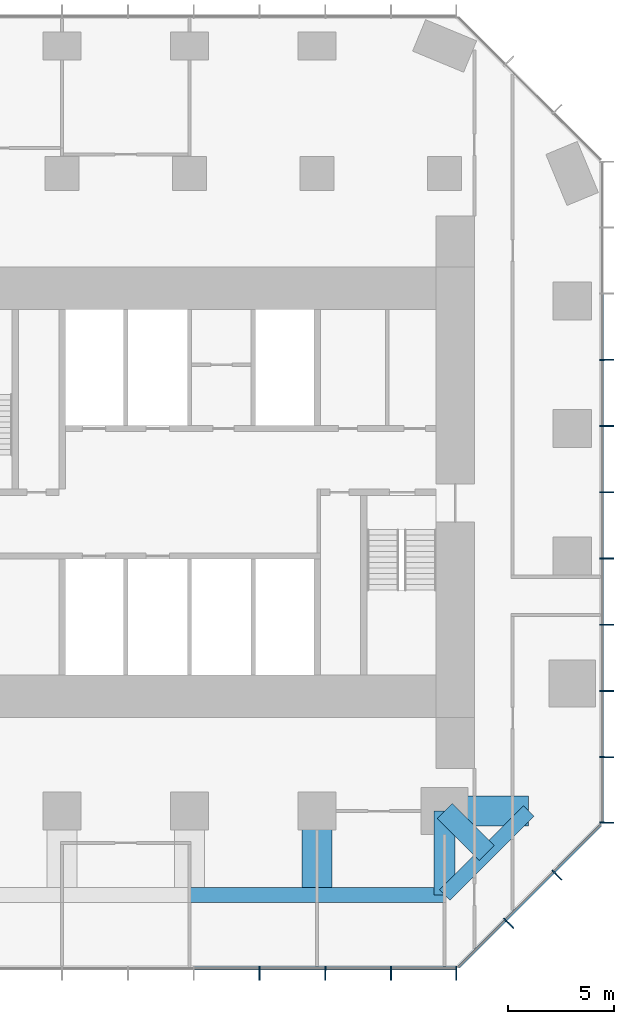
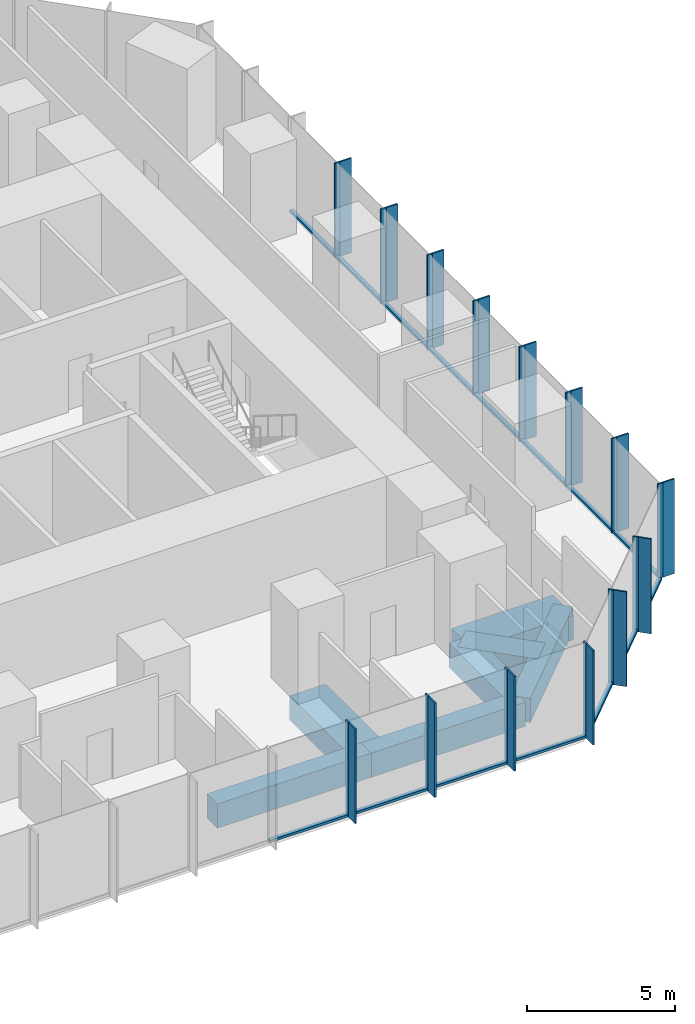
# One storey, part 4 of 11: 43 members, 7 beams, 3 elements without a shape of their own.
"""IFC4 building model written with IfcOpenShell, lengths in metres."""

from ifc_helpers import new_model, si_unit, direction, frame, origin, origin_2d, place, context, subcontext, project, spatial, rectangle, extrude, material, layer, layer_set, material_profile, profile_set, type_object, element, aggregate, save


model = new_model("IFC4")

# Units and contexts
model_context = context("Model", 3, precision=1e-05, world=origin(), true_north=direction((0.0, 1.0)))
body_context = subcontext(model_context, "Body", "Model", "MODEL_VIEW")
ifc_project = project(units=[si_unit("LENGTHUNIT", "METRE"), si_unit("AREAUNIT", "SQUARE_METRE"), si_unit("VOLUMEUNIT", "CUBIC_METRE"), si_unit("PLANEANGLEUNIT", "RADIAN"), si_unit("MASSUNIT", "GRAM", prefix="KILO")], contexts=[model_context])

# Site, building, storey
site_placement = place(None, origin())
site = spatial("IfcSite", under=ifc_project, at=site_placement, CompositionType="ELEMENT")
building_placement = place(site_placement, origin())
building = spatial("IfcBuilding", under=site, at=building_placement, Name="Highveld Stack Headquarters", CompositionType="ELEMENT")
storey_placement = place(building_placement, frame((0.0, 0.0, 128.89990234375)))
storey = spatial("IfcBuildingStorey", under=building, at=storey_placement, Name="L31", CompositionType="ELEMENT", Elevation=128.89990234375)

# Beams
ifc_material_1 = material(Name="Concrete C60/75", Category="concrete")
ifc_material_profile_1 = material_profile(ifc_material_1, rectangle(XDim=1.0, YDim=1.0, at=origin_2d()), Name="RC 1000x1000")
ifc_profile_set_1 = profile_set([ifc_material_profile_1], Name="Concrete C60/75")
beam_type_1 = type_object("IfcBeamType", Name="CANTILEVER RIB RC 1000x1000", PredefinedType="USERDEFINED", material=ifc_profile_set_1)
beam_1_placement = place(storey_placement, frame((18.0, -12.0, -0.75), z_axis=(0.0, -1.0, 0.0), x_axis=(1.0, 0.0, 0.0)))
element("IfcBeam", 1, at=beam_1_placement, inside=storey, type_object=beam_type_1, Name="Cantilever rib 9/C L31", ObjectType="CANTILEVER RIB", PredefinedType="USERDEFINED", context=body_context, shape_type="SweptSolid", body=[
    extrude(rectangle(XDim=1.0, YDim=1.0, at=origin_2d()), origin(), (0.0, 0.0, 1.0), 3.949951171875),
])
beam_2_placement = place(storey_placement, frame((18.0, -12.0, -0.75), z_axis=(0.707106781187, -0.707106781187, 0.0), x_axis=(0.707106781187, 0.707106781187, 0.0)))
element("IfcBeam", 2, at=beam_2_placement, inside=storey, type_object=beam_type_1, Name="Cantilever rib 9/C L31", ObjectType="CANTILEVER RIB", PredefinedType="USERDEFINED", context=body_context, shape_type="SweptSolid", body=[
    extrude(rectangle(XDim=1.0, YDim=1.0, at=origin_2d()), origin(), (0.0, 0.0, 1.0), 2.793212890625),
])
ifc_material_2 = material(Name="Concrete C60/75", Category="concrete")
ifc_material_profile_2 = material_profile(ifc_material_2, rectangle(XDim=1.39990234375, YDim=1.0, at=origin_2d()), Name="RC 1400x1000")
ifc_profile_set_2 = profile_set([ifc_material_profile_2], Name="Concrete C60/75")
beam_type_2 = type_object("IfcBeamType", Name="CANTILEVER RIB RC 1400x1000", PredefinedType="USERDEFINED", material=ifc_profile_set_2)
for number, where, z_axis, x_axis, name in (
    (3, (12.0, -12.0, -0.75), (0.0, -1.0, 0.0), (1.0, 0.0, 0.0), "Cantilever rib 8/C L31"),
    (4, (18.0, -12.0, -0.75), (1.0, 0.0, 0.0), (0.0, 1.0, 0.0), "Cantilever rib 9/C L31"),
):
    element("IfcBeam", number, at=place(storey_placement, frame(where, z_axis=z_axis, x_axis=x_axis)), inside=storey, type_object=beam_type_2, Name=name, ObjectType="CANTILEVER RIB", PredefinedType="USERDEFINED", context=body_context, shape_type="SweptSolid", body=[
        extrude(rectangle(XDim=1.39990234375, YDim=1.0, at=origin_2d()), origin(), (0.0, 0.0, 1.0), 3.949951171875),
    ])

# Curtain wall, members
ifc_material_3 = material(Name="Aluminium bronze anodised", Category="aluminium")
ifc_layer_1 = layer(ifc_material_3, 0.199951171875)
ifc_layer_set_1 = layer_set([ifc_layer_1], Name="Aluminium bronze anodised")
curtain_wall_type_1 = type_object("IfcCurtainWallType", Name="CW1 TOWER UNITISED CURTAIN WALL", PredefinedType="NOTDEFINED", material=ifc_layer_set_1)
curtain_wall_1_placement = place(storey_placement, origin())
curtain_wall_1 = element("IfcCurtainWall", 5, at=curtain_wall_1_placement, inside=storey, type_object=curtain_wall_type_1, Name="Curtain wall CW1 L31 S", PredefinedType="NOTDEFINED")
ifc_material_4 = material(Name="Aluminium bronze anodised", Category="aluminium")
ifc_material_profile_3 = material_profile(ifc_material_4, rectangle(XDim=0.449951171875, YDim=0.06005859375, at=origin_2d()), Name="FIN 450x60")
ifc_profile_set_3 = profile_set([ifc_material_profile_3], Name="Aluminium bronze anodised")
member_type_1 = type_object("IfcMemberType", Name="CW1 BRONZE FIN 450x60", PredefinedType="USERDEFINED", material=ifc_profile_set_3)
member_1_placement = place(storey_placement, frame((9.2900390625, -19.72509765625, 0.0), z_axis=(0.0, 0.0, 1.0), x_axis=(0.0, 1.0, 0.0)))
member_1 = element("IfcMember", 6, at=member_1_placement, type_object=member_type_1, Name="CW1 fin L31 10", ObjectType="FIN", PredefinedType="USERDEFINED", context=body_context, shape_type="SweptSolid", body=[
    extrude(rectangle(XDim=0.449951171875, YDim=0.06005859375, at=origin_2d()), origin(), (0.0, 0.0, 1.0), 3.900146484375),
])
member_2_placement = place(storey_placement, frame((12.38671875, -19.72509765625, 0.0), z_axis=(0.0, 0.0, 1.0), x_axis=(0.0, 1.0, 0.0)))
member_2 = element("IfcMember", 7, at=member_2_placement, type_object=member_type_1, Name="CW1 fin L31 11", ObjectType="FIN", PredefinedType="USERDEFINED", context=body_context, shape_type="SweptSolid", body=[
    extrude(rectangle(XDim=0.449951171875, YDim=0.06005859375, at=origin_2d()), origin(), (0.0, 0.0, 1.0), 3.900146484375),
])
member_3_placement = place(storey_placement, frame((15.4833984375, -19.72509765625, 0.0), z_axis=(0.0, 0.0, 1.0), x_axis=(0.0, 1.0, 0.0)))
member_3 = element("IfcMember", 8, at=member_3_placement, type_object=member_type_1, Name="CW1 fin L31 12", ObjectType="FIN", PredefinedType="USERDEFINED", context=body_context, shape_type="SweptSolid", body=[
    extrude(rectangle(XDim=0.449951171875, YDim=0.06005859375, at=origin_2d()), origin(), (0.0, 0.0, 1.0), 3.900146484375),
])
member_4_placement = place(storey_placement, frame((18.54736328125, -19.72509765625, 0.0), z_axis=(0.0, 0.0, 1.0), x_axis=(0.0, 1.0, 0.0)))
member_4 = element("IfcMember", 9, at=member_4_placement, type_object=member_type_1, Name="CW1 fin L31 13", ObjectType="FIN", PredefinedType="USERDEFINED", context=body_context, shape_type="SweptSolid", body=[
    extrude(rectangle(XDim=0.449951171875, YDim=0.06005859375, at=origin_2d()), origin(), (0.0, 0.0, 1.0), 3.900146484375),
])

curtain_wall_2_placement = place(storey_placement, origin())
curtain_wall_2 = element("IfcCurtainWall", 10, at=curtain_wall_2_placement, inside=storey, type_object=curtain_wall_type_1, Name="Curtain wall CW1 L31 E", PredefinedType="NOTDEFINED")
member_5_placement = place(storey_placement, frame((25.72509765625, -12.54736328125, 0.0), z_axis=(0.0, 0.0, 1.0), x_axis=(-1.0, 0.0, 0.0)))
member_5 = element("IfcMember", 11, at=member_5_placement, type_object=member_type_1, Name="CW1 fin L31 1", ObjectType="FIN", PredefinedType="USERDEFINED", context=body_context, shape_type="SweptSolid", body=[
    extrude(rectangle(XDim=0.449951171875, YDim=0.06005859375, at=origin_2d()), origin(), (0.0, 0.0, 1.0), 3.900146484375),
])
member_6_placement = place(storey_placement, frame((25.72509765625, -9.4638671875, 0.0), z_axis=(0.0, 0.0, 1.0), x_axis=(-1.0, 0.0, 0.0)))
member_6 = element("IfcMember", 12, at=member_6_placement, type_object=member_type_1, Name="CW1 fin L31 2", ObjectType="FIN", PredefinedType="USERDEFINED", context=body_context, shape_type="SweptSolid", body=[
    extrude(rectangle(XDim=0.449951171875, YDim=0.06005859375, at=origin_2d()), origin(), (0.0, 0.0, 1.0), 3.900146484375),
])
member_7_placement = place(storey_placement, frame((25.72509765625, -6.347900390625, 0.0), z_axis=(0.0, 0.0, 1.0), x_axis=(-1.0, 0.0, 0.0)))
member_7 = element("IfcMember", 13, at=member_7_placement, type_object=member_type_1, Name="CW1 fin L31 3", ObjectType="FIN", PredefinedType="USERDEFINED", context=body_context, shape_type="SweptSolid", body=[
    extrude(rectangle(XDim=0.449951171875, YDim=0.06005859375, at=origin_2d()), origin(), (0.0, 0.0, 1.0), 3.900146484375),
])
member_8_placement = place(storey_placement, frame((25.72509765625, -3.23193359375, 0.0), z_axis=(0.0, 0.0, 1.0), x_axis=(-1.0, 0.0, 0.0)))
member_8 = element("IfcMember", 14, at=member_8_placement, type_object=member_type_1, Name="CW1 fin L31 4", ObjectType="FIN", PredefinedType="USERDEFINED", context=body_context, shape_type="SweptSolid", body=[
    extrude(rectangle(XDim=0.449951171875, YDim=0.06005859375, at=origin_2d()), origin(), (0.0, 0.0, 1.0), 3.900146484375),
])
member_9_placement = place(storey_placement, frame((25.72509765625, -0.115966796875, 0.0), z_axis=(0.0, 0.0, 1.0), x_axis=(-1.0, 0.0, 0.0)))
member_9 = element("IfcMember", 15, at=member_9_placement, type_object=member_type_1, Name="CW1 fin L31 5", ObjectType="FIN", PredefinedType="USERDEFINED", context=body_context, shape_type="SweptSolid", body=[
    extrude(rectangle(XDim=0.449951171875, YDim=0.06005859375, at=origin_2d()), origin(), (0.0, 0.0, 1.0), 3.900146484375),
])
member_10_placement = place(storey_placement, frame((25.72509765625, 3.0, 0.0), z_axis=(0.0, 0.0, 1.0), x_axis=(-1.0, 0.0, 0.0)))
member_10 = element("IfcMember", 16, at=member_10_placement, type_object=member_type_1, Name="CW1 fin L31 6", ObjectType="FIN", PredefinedType="USERDEFINED", context=body_context, shape_type="SweptSolid", body=[
    extrude(rectangle(XDim=0.449951171875, YDim=0.06005859375, at=origin_2d()), origin(), (0.0, 0.0, 1.0), 3.900146484375),
])
member_11_placement = place(storey_placement, frame((25.72509765625, 6.115966796875, 0.0), z_axis=(0.0, 0.0, 1.0), x_axis=(-1.0, 0.0, 0.0)))
member_11 = element("IfcMember", 17, at=member_11_placement, type_object=member_type_1, Name="CW1 fin L31 7", ObjectType="FIN", PredefinedType="USERDEFINED", context=body_context, shape_type="SweptSolid", body=[
    extrude(rectangle(XDim=0.449951171875, YDim=0.06005859375, at=origin_2d()), origin(), (0.0, 0.0, 1.0), 3.900146484375),
])
member_12_placement = place(storey_placement, frame((25.72509765625, 9.23193359375, 0.0), z_axis=(0.0, 0.0, 1.0), x_axis=(-1.0, 0.0, 0.0)))
member_12 = element("IfcMember", 18, at=member_12_placement, type_object=member_type_1, Name="CW1 fin L31 8", ObjectType="FIN", PredefinedType="USERDEFINED", context=body_context, shape_type="SweptSolid", body=[
    extrude(rectangle(XDim=0.449951171875, YDim=0.06005859375, at=origin_2d()), origin(), (0.0, 0.0, 1.0), 3.900146484375),
])

# Member
ifc_material_5 = material(Name="Aluminium bronze anodised", Category="aluminium")
ifc_material_profile_4 = material_profile(ifc_material_5, rectangle(XDim=0.199951171875, YDim=0.06494140625, at=origin_2d()), Name="CW1 MULLION 65x200")
ifc_profile_set_4 = profile_set([ifc_material_profile_4], Name="Aluminium bronze anodised")
member_type_2 = type_object("IfcMemberType", Name="CW1 MULLION 65x200", PredefinedType="MULLION", material=ifc_profile_set_4)
member_13_placement = place(storey_placement, frame((9.2900390625, -19.39990234375, 0.0), z_axis=(0.0, 0.0, 1.0), x_axis=(0.0, 1.0, 0.0)))
member_13 = element("IfcMember", 19, at=member_13_placement, type_object=member_type_2, Name="CW1 mullion L31 10", PredefinedType="MULLION", context=body_context, shape_type="SweptSolid", body=[
    extrude(rectangle(XDim=0.199951171875, YDim=0.06494140625, at=origin_2d()), origin(), (0.0, 0.0, 1.0), 3.900146484375),
])

member_14_placement = place(storey_placement, frame((12.38671875, -19.39990234375, 0.0), z_axis=(0.0, 0.0, 1.0), x_axis=(0.0, 1.0, 0.0)))
member_14 = element("IfcMember", 20, at=member_14_placement, type_object=member_type_2, Name="CW1 mullion L31 11", PredefinedType="MULLION", context=body_context, shape_type="SweptSolid", body=[
    extrude(rectangle(XDim=0.199951171875, YDim=0.06494140625, at=origin_2d()), origin(), (0.0, 0.0, 1.0), 3.900146484375),
])

member_15_placement = place(storey_placement, frame((15.4833984375, -19.39990234375, 0.0), z_axis=(0.0, 0.0, 1.0), x_axis=(0.0, 1.0, 0.0)))
member_15 = element("IfcMember", 21, at=member_15_placement, type_object=member_type_2, Name="CW1 mullion L31 12", PredefinedType="MULLION", context=body_context, shape_type="SweptSolid", body=[
    extrude(rectangle(XDim=0.199951171875, YDim=0.06494140625, at=origin_2d()), origin(), (0.0, 0.0, 1.0), 3.900146484375),
])

member_16_placement = place(storey_placement, frame((18.54736328125, -19.39990234375, 0.0), z_axis=(0.0, 0.0, 1.0), x_axis=(0.0, 1.0, 0.0)))
member_16 = element("IfcMember", 22, at=member_16_placement, type_object=member_type_2, Name="CW1 mullion L31 13", PredefinedType="MULLION", context=body_context, shape_type="SweptSolid", body=[
    extrude(rectangle(XDim=0.199951171875, YDim=0.06494140625, at=origin_2d()), origin(), (0.0, 0.0, 1.0), 3.900146484375),
])

member_17_placement = place(storey_placement, frame((25.39990234375, -12.54736328125, 0.0), z_axis=(0.0, 0.0, 1.0), x_axis=(-1.0, 0.0, 0.0)))
member_17 = element("IfcMember", 23, at=member_17_placement, type_object=member_type_2, Name="CW1 mullion L31 1", PredefinedType="MULLION", context=body_context, shape_type="SweptSolid", body=[
    extrude(rectangle(XDim=0.199951171875, YDim=0.06494140625, at=origin_2d()), origin(), (0.0, 0.0, 1.0), 3.900146484375),
])

member_18_placement = place(storey_placement, frame((25.39990234375, -9.4638671875, 0.0), z_axis=(0.0, 0.0, 1.0), x_axis=(-1.0, 0.0, 0.0)))
member_18 = element("IfcMember", 24, at=member_18_placement, type_object=member_type_2, Name="CW1 mullion L31 2", PredefinedType="MULLION", context=body_context, shape_type="SweptSolid", body=[
    extrude(rectangle(XDim=0.199951171875, YDim=0.06494140625, at=origin_2d()), origin(), (0.0, 0.0, 1.0), 3.900146484375),
])

member_19_placement = place(storey_placement, frame((25.39990234375, -6.347900390625, 0.0), z_axis=(0.0, 0.0, 1.0), x_axis=(-1.0, 0.0, 0.0)))
member_19 = element("IfcMember", 25, at=member_19_placement, type_object=member_type_2, Name="CW1 mullion L31 3", PredefinedType="MULLION", context=body_context, shape_type="SweptSolid", body=[
    extrude(rectangle(XDim=0.199951171875, YDim=0.06494140625, at=origin_2d()), origin(), (0.0, 0.0, 1.0), 3.900146484375),
])

member_20_placement = place(storey_placement, frame((25.39990234375, -3.23193359375, 0.0), z_axis=(0.0, 0.0, 1.0), x_axis=(-1.0, 0.0, 0.0)))
member_20 = element("IfcMember", 26, at=member_20_placement, type_object=member_type_2, Name="CW1 mullion L31 4", PredefinedType="MULLION", context=body_context, shape_type="SweptSolid", body=[
    extrude(rectangle(XDim=0.199951171875, YDim=0.06494140625, at=origin_2d()), origin(), (0.0, 0.0, 1.0), 3.900146484375),
])

member_21_placement = place(storey_placement, frame((25.39990234375, -0.115966796875, 0.0), z_axis=(0.0, 0.0, 1.0), x_axis=(-1.0, 0.0, 0.0)))
member_21 = element("IfcMember", 27, at=member_21_placement, type_object=member_type_2, Name="CW1 mullion L31 5", PredefinedType="MULLION", context=body_context, shape_type="SweptSolid", body=[
    extrude(rectangle(XDim=0.199951171875, YDim=0.06494140625, at=origin_2d()), origin(), (0.0, 0.0, 1.0), 3.900146484375),
])

member_22_placement = place(storey_placement, frame((25.39990234375, 3.0, 0.0), z_axis=(0.0, 0.0, 1.0), x_axis=(-1.0, 0.0, 0.0)))
member_22 = element("IfcMember", 28, at=member_22_placement, type_object=member_type_2, Name="CW1 mullion L31 6", PredefinedType="MULLION", context=body_context, shape_type="SweptSolid", body=[
    extrude(rectangle(XDim=0.199951171875, YDim=0.06494140625, at=origin_2d()), origin(), (0.0, 0.0, 1.0), 3.900146484375),
])

member_23_placement = place(storey_placement, frame((25.39990234375, 6.115966796875, 0.0), z_axis=(0.0, 0.0, 1.0), x_axis=(-1.0, 0.0, 0.0)))
member_23 = element("IfcMember", 29, at=member_23_placement, type_object=member_type_2, Name="CW1 mullion L31 7", PredefinedType="MULLION", context=body_context, shape_type="SweptSolid", body=[
    extrude(rectangle(XDim=0.199951171875, YDim=0.06494140625, at=origin_2d()), origin(), (0.0, 0.0, 1.0), 3.900146484375),
])

member_24_placement = place(storey_placement, frame((25.39990234375, 9.23193359375, 0.0), z_axis=(0.0, 0.0, 1.0), x_axis=(-1.0, 0.0, 0.0)))
member_24 = element("IfcMember", 30, at=member_24_placement, type_object=member_type_2, Name="CW1 mullion L31 8", PredefinedType="MULLION", context=body_context, shape_type="SweptSolid", body=[
    extrude(rectangle(XDim=0.199951171875, YDim=0.06494140625, at=origin_2d()), origin(), (0.0, 0.0, 1.0), 3.900146484375),
])

ifc_material_6 = material(Name="Aluminium bronze anodised", Category="aluminium")
ifc_material_profile_5 = material_profile(ifc_material_6, rectangle(XDim=0.14990234375, YDim=0.10009765625, at=origin_2d()), Name="CW1 TRANSOM 150x100")
ifc_profile_set_5 = profile_set([ifc_material_profile_5], Name="Aluminium bronze anodised")
member_type_3 = type_object("IfcMemberType", Name="CW1 STACK TRANSOM 150x100", PredefinedType="USERDEFINED", material=ifc_profile_set_5)
member_25_placement = place(storey_placement, frame((6.225830078125, -19.39990234375, 0.050048828125), z_axis=(1.0, 0.0, 0.0), x_axis=(0.0, 1.0, 0.0)))
member_25 = element("IfcMember", 31, at=member_25_placement, type_object=member_type_3, Name="CW1 transom L31 9.1", ObjectType="TRANSOM", PredefinedType="USERDEFINED", context=body_context, shape_type="SweptSolid", body=[
    extrude(rectangle(XDim=0.14990234375, YDim=0.10009765625, at=origin_2d()), origin(), (0.0, 0.0, 1.0), 3.03173828125),
])

member_26_placement = place(storey_placement, frame((9.322509765625, -19.39990234375, 0.050048828125), z_axis=(1.0, 0.0, 0.0), x_axis=(0.0, 1.0, 0.0)))
member_26 = element("IfcMember", 32, at=member_26_placement, type_object=member_type_3, Name="CW1 transom L31 10.1", ObjectType="TRANSOM", PredefinedType="USERDEFINED", context=body_context, shape_type="SweptSolid", body=[
    extrude(rectangle(XDim=0.14990234375, YDim=0.10009765625, at=origin_2d()), origin(), (0.0, 0.0, 1.0), 3.031494140625),
])

member_27_placement = place(storey_placement, frame((12.419189453125, -19.39990234375, 0.050048828125), z_axis=(1.0, 0.0, 0.0), x_axis=(0.0, 1.0, 0.0)))
member_27 = element("IfcMember", 33, at=member_27_placement, type_object=member_type_3, Name="CW1 transom L31 11.1", ObjectType="TRANSOM", PredefinedType="USERDEFINED", context=body_context, shape_type="SweptSolid", body=[
    extrude(rectangle(XDim=0.14990234375, YDim=0.10009765625, at=origin_2d()), origin(), (0.0, 0.0, 1.0), 3.031494140625),
])

member_28_placement = place(storey_placement, frame((15.515869140625, -19.39990234375, 0.050048828125), z_axis=(1.0, 0.0, 0.0), x_axis=(0.0, 1.0, 0.0)))
member_28 = element("IfcMember", 34, at=member_28_placement, type_object=member_type_3, Name="CW1 transom L31 12.1", ObjectType="TRANSOM", PredefinedType="USERDEFINED", context=body_context, shape_type="SweptSolid", body=[
    extrude(rectangle(XDim=0.14990234375, YDim=0.10009765625, at=origin_2d()), origin(), (0.0, 0.0, 1.0), 2.9990234375),
])

aggregate(curtain_wall_1, [member_13, member_1, member_14, member_2, member_15, member_3, member_16, member_4, member_25, member_26, member_27, member_28])

member_29_placement = place(storey_placement, frame((25.39990234375, -12.514892578125, 0.050048828125), z_axis=(0.0, 1.0, 0.0), x_axis=(-1.0, 0.0, 0.0)))
member_29 = element("IfcMember", 35, at=member_29_placement, type_object=member_type_3, Name="CW1 transom L31 1.1", ObjectType="TRANSOM", PredefinedType="USERDEFINED", context=body_context, shape_type="SweptSolid", body=[
    extrude(rectangle(XDim=0.14990234375, YDim=0.10009765625, at=origin_2d()), origin(), (0.0, 0.0, 1.0), 3.0185546875),
])

member_30_placement = place(storey_placement, frame((25.39990234375, -9.431396484375, 0.050048828125), z_axis=(0.0, 1.0, 0.0), x_axis=(-1.0, 0.0, 0.0)))
member_30 = element("IfcMember", 36, at=member_30_placement, type_object=member_type_3, Name="CW1 transom L31 2.1", ObjectType="TRANSOM", PredefinedType="USERDEFINED", context=body_context, shape_type="SweptSolid", body=[
    extrude(rectangle(XDim=0.14990234375, YDim=0.10009765625, at=origin_2d()), origin(), (0.0, 0.0, 1.0), 3.051025390625),
])

member_31_placement = place(storey_placement, frame((25.39990234375, -6.3154296875, 0.050048828125), z_axis=(0.0, 1.0, 0.0), x_axis=(-1.0, 0.0, 0.0)))
member_31 = element("IfcMember", 37, at=member_31_placement, type_object=member_type_3, Name="CW1 transom L31 3.1", ObjectType="TRANSOM", PredefinedType="USERDEFINED", context=body_context, shape_type="SweptSolid", body=[
    extrude(rectangle(XDim=0.14990234375, YDim=0.10009765625, at=origin_2d()), origin(), (0.0, 0.0, 1.0), 3.051025390625),
])

member_32_placement = place(storey_placement, frame((25.39990234375, -3.199462890625, 0.050048828125), z_axis=(0.0, 1.0, 0.0), x_axis=(-1.0, 0.0, 0.0)))
member_32 = element("IfcMember", 38, at=member_32_placement, type_object=member_type_3, Name="CW1 transom L31 4.1", ObjectType="TRANSOM", PredefinedType="USERDEFINED", context=body_context, shape_type="SweptSolid", body=[
    extrude(rectangle(XDim=0.14990234375, YDim=0.10009765625, at=origin_2d()), origin(), (0.0, 0.0, 1.0), 3.051025390625),
])

member_33_placement = place(storey_placement, frame((25.39990234375, -0.08349609375, 0.050048828125), z_axis=(0.0, 1.0, 0.0), x_axis=(-1.0, 0.0, 0.0)))
member_33 = element("IfcMember", 39, at=member_33_placement, type_object=member_type_3, Name="CW1 transom L31 5.1", ObjectType="TRANSOM", PredefinedType="USERDEFINED", context=body_context, shape_type="SweptSolid", body=[
    extrude(rectangle(XDim=0.14990234375, YDim=0.10009765625, at=origin_2d()), origin(), (0.0, 0.0, 1.0), 3.051025390625),
])

member_34_placement = place(storey_placement, frame((25.39990234375, 3.032470703125, 0.050048828125), z_axis=(0.0, 1.0, 0.0), x_axis=(-1.0, 0.0, 0.0)))
member_34 = element("IfcMember", 40, at=member_34_placement, type_object=member_type_3, Name="CW1 transom L31 6.1", ObjectType="TRANSOM", PredefinedType="USERDEFINED", context=body_context, shape_type="SweptSolid", body=[
    extrude(rectangle(XDim=0.14990234375, YDim=0.10009765625, at=origin_2d()), origin(), (0.0, 0.0, 1.0), 3.051025390625),
])

member_35_placement = place(storey_placement, frame((25.39990234375, 6.1484375, 0.050048828125), z_axis=(0.0, 1.0, 0.0), x_axis=(-1.0, 0.0, 0.0)))
member_35 = element("IfcMember", 41, at=member_35_placement, type_object=member_type_3, Name="CW1 transom L31 7.1", ObjectType="TRANSOM", PredefinedType="USERDEFINED", context=body_context, shape_type="SweptSolid", body=[
    extrude(rectangle(XDim=0.14990234375, YDim=0.10009765625, at=origin_2d()), origin(), (0.0, 0.0, 1.0), 3.051025390625),
])

member_36_placement = place(storey_placement, frame((25.39990234375, 9.264404296875, 0.050048828125), z_axis=(0.0, 1.0, 0.0), x_axis=(-1.0, 0.0, 0.0)))
member_36 = element("IfcMember", 42, at=member_36_placement, type_object=member_type_3, Name="CW1 transom L31 8.1", ObjectType="TRANSOM", PredefinedType="USERDEFINED", context=body_context, shape_type="SweptSolid", body=[
    extrude(rectangle(XDim=0.14990234375, YDim=0.10009765625, at=origin_2d()), origin(), (0.0, 0.0, 1.0), 3.051025390625),
])

aggregate(curtain_wall_2, [member_17, member_5, member_18, member_6, member_19, member_7, member_20, member_8, member_21, member_9, member_22, member_10, member_23, member_11, member_24, member_12, member_29, member_30, member_31, member_32, member_33, member_34, member_35, member_36])

# Curtain wall, members
ifc_material_7 = material(Name="Aluminium bronze anodised", Category="aluminium")
ifc_layer_2 = layer(ifc_material_7, 0.199951171875)
ifc_layer_set_2 = layer_set([ifc_layer_2], Name="Aluminium bronze anodised")
curtain_wall_type_2 = type_object("IfcCurtainWallType", Name="CW2 TOWER CHAMFER UNITISED CURTAIN WALL", PredefinedType="NOTDEFINED", material=ifc_layer_set_2)
curtain_wall_3_placement = place(storey_placement, origin())
curtain_wall_3 = element("IfcCurtainWall", 43, at=curtain_wall_3_placement, inside=storey, type_object=curtain_wall_type_2, Name="Curtain wall CW2 L31 SE", PredefinedType="NOTDEFINED")
ifc_material_8 = material(Name="Aluminium bronze anodised", Category="aluminium")
ifc_material_profile_6 = material_profile(ifc_material_8, rectangle(XDim=0.449951171875, YDim=0.06005859375, at=origin_2d()), Name="FIN 450x60")
ifc_profile_set_6 = profile_set([ifc_material_profile_6], Name="Aluminium bronze anodised")
member_type_4 = type_object("IfcMemberType", Name="CW2 BRONZE FIN 450x60", PredefinedType="USERDEFINED", material=ifc_profile_set_6)
member_37_placement = place(storey_placement, frame((21.0830078125, -17.3564453125, 0.0), z_axis=(0.0, 0.0, 1.0), x_axis=(-0.707106781187, 0.707106781187, 0.0)))
member_37 = element("IfcMember", 44, at=member_37_placement, type_object=member_type_4, Name="CW2 fin L31 1", ObjectType="FIN", PredefinedType="USERDEFINED", context=body_context, shape_type="SweptSolid", body=[
    extrude(rectangle(XDim=0.449951171875, YDim=0.06005859375, at=origin_2d()), origin(), (0.0, 0.0, 1.0), 3.900146484375),
])
member_38_placement = place(storey_placement, frame((23.3564453125, -15.0830078125, 0.0), z_axis=(0.0, 0.0, 1.0), x_axis=(-0.707106781187, 0.707106781187, 0.0)))
member_38 = element("IfcMember", 45, at=member_38_placement, type_object=member_type_4, Name="CW2 fin L31 2", ObjectType="FIN", PredefinedType="USERDEFINED", context=body_context, shape_type="SweptSolid", body=[
    extrude(rectangle(XDim=0.449951171875, YDim=0.06005859375, at=origin_2d()), origin(), (0.0, 0.0, 1.0), 3.900146484375),
])
ifc_material_9 = material(Name="Aluminium bronze anodised", Category="aluminium")
ifc_material_profile_7 = material_profile(ifc_material_9, rectangle(XDim=0.199951171875, YDim=0.06494140625, at=origin_2d()), Name="CW2 MULLION 65x200")
ifc_profile_set_7 = profile_set([ifc_material_profile_7], Name="Aluminium bronze anodised")
member_type_5 = type_object("IfcMemberType", Name="CW2 MULLION 65x200", PredefinedType="MULLION", material=ifc_profile_set_7)
member_39_placement = place(storey_placement, frame((20.853271484375, -17.126708984375, 0.0), z_axis=(0.0, 0.0, 1.0), x_axis=(-0.707106781187, 0.707106781187, 0.0)))
member_39 = element("IfcMember", 46, at=member_39_placement, type_object=member_type_5, Name="CW2 mullion L31 1", PredefinedType="MULLION", context=body_context, shape_type="SweptSolid", body=[
    extrude(rectangle(XDim=0.199951171875, YDim=0.06494140625, at=origin_2d()), origin(), (0.0, 0.0, 1.0), 3.900146484375),
])
member_40_placement = place(storey_placement, frame((23.126708984375, -14.853271484375, 0.0), z_axis=(0.0, 0.0, 1.0), x_axis=(-0.707106781187, 0.707106781187, 0.0)))
member_40 = element("IfcMember", 47, at=member_40_placement, type_object=member_type_5, Name="CW2 mullion L31 2", PredefinedType="MULLION", context=body_context, shape_type="SweptSolid", body=[
    extrude(rectangle(XDim=0.199951171875, YDim=0.06494140625, at=origin_2d()), origin(), (0.0, 0.0, 1.0), 3.900146484375),
])
ifc_material_10 = material(Name="Aluminium bronze anodised", Category="aluminium")
ifc_material_profile_8 = material_profile(ifc_material_10, rectangle(XDim=0.14990234375, YDim=0.10009765625, at=origin_2d()), Name="CW2 TRANSOM 150x100")
ifc_profile_set_8 = profile_set([ifc_material_profile_8], Name="Aluminium bronze anodised")
member_type_6 = type_object("IfcMemberType", Name="CW2 STACK TRANSOM 150x100", PredefinedType="USERDEFINED", material=ifc_profile_set_8)
member_41_placement = place(storey_placement, frame((18.650634765625, -19.329345703125, 0.050048828125), z_axis=(0.707106781187, 0.707106781187, 0.0), x_axis=(-0.707106781187, 0.707106781187, 0.0)))
member_41 = element("IfcMember", 48, at=member_41_placement, type_object=member_type_6, Name="CW2 transom L31 1.1", ObjectType="TRANSOM", PredefinedType="USERDEFINED", context=body_context, shape_type="SweptSolid", body=[
    extrude(rectangle(XDim=0.14990234375, YDim=0.10009765625, at=origin_2d()), origin(), (0.0, 0.0, 1.0), 3.08251953125),
])
member_42_placement = place(storey_placement, frame((20.876220703125, -17.103759765625, 0.050048828125), z_axis=(0.707106781187, 0.707106781187, 0.0), x_axis=(-0.707106781187, 0.707106781187, 0.0)))
member_42 = element("IfcMember", 49, at=member_42_placement, type_object=member_type_6, Name="CW2 transom L31 2.1", ObjectType="TRANSOM", PredefinedType="USERDEFINED", context=body_context, shape_type="SweptSolid", body=[
    extrude(rectangle(XDim=0.14990234375, YDim=0.10009765625, at=origin_2d()), origin(), (0.0, 0.0, 1.0), 3.150146484375),
])
member_43_placement = place(storey_placement, frame((23.149658203125, -14.830322265625, 0.050048828125), z_axis=(0.707106781187, 0.707106781187, 0.0), x_axis=(-0.707106781187, 0.707106781187, 0.0)))
member_43 = element("IfcMember", 50, at=member_43_placement, type_object=member_type_6, Name="CW2 transom L31 3.1", ObjectType="TRANSOM", PredefinedType="USERDEFINED", context=body_context, shape_type="SweptSolid", body=[
    extrude(rectangle(XDim=0.14990234375, YDim=0.10009765625, at=origin_2d()), origin(), (0.0, 0.0, 1.0), 3.08251953125),
])
aggregate(curtain_wall_3, [member_39, member_37, member_40, member_38, member_41, member_42, member_43])

# Beams
ifc_material_11 = material(Name="Concrete C60/75", Category="concrete")
ifc_material_profile_9 = material_profile(ifc_material_11, rectangle(XDim=0.699951171875, YDim=1.0, at=origin_2d()), Name="RC 700x1000")
ifc_profile_set_9 = profile_set([ifc_material_profile_9], Name="Concrete C60/75")
beam_type_3 = type_object("IfcBeamType", Name="RIB TIP BEAM RC 700x1000", PredefinedType="SPANDREL", material=ifc_profile_set_9)
for number, where, z_axis, x_axis, name in (
    (51, (6.0, -15.949951171875, -0.75), (1.0, 0.0, 0.0), (0.0, 1.0, 0.0), "Rib tip beam 7/C to 8/C L31"),
    (52, (12.0, -15.949951171875, -0.75), (1.0, 0.0, 0.0), (0.0, 1.0, 0.0), "Rib tip beam 8/C to 9/C L31"),
):
    element("IfcBeam", number, at=place(storey_placement, frame(where, z_axis=z_axis, x_axis=x_axis)), inside=storey, type_object=beam_type_3, Name=name, PredefinedType="SPANDREL", context=body_context, shape_type="SweptSolid", body=[
        extrude(rectangle(XDim=0.699951171875, YDim=1.0, at=origin_2d()), origin(), (0.0, 0.0, 1.0), 6.0),
    ])
beam_3_placement = place(storey_placement, frame((21.949951171875, -12.0, -0.75), z_axis=(-0.707106781187, -0.707106781187, 0.0), x_axis=(0.707106781187, -0.707106781187, 0.0)))
element("IfcBeam", 53, at=beam_3_placement, inside=storey, type_object=beam_type_3, Name="Rib tip beam 9/C corner L31", PredefinedType="SPANDREL", context=body_context, shape_type="SweptSolid", body=[
    extrude(rectangle(XDim=0.699951171875, YDim=1.0, at=origin_2d()), origin(), (0.0, 0.0, 1.0), 5.586181640625),
])

save(model, "model.ifc")
